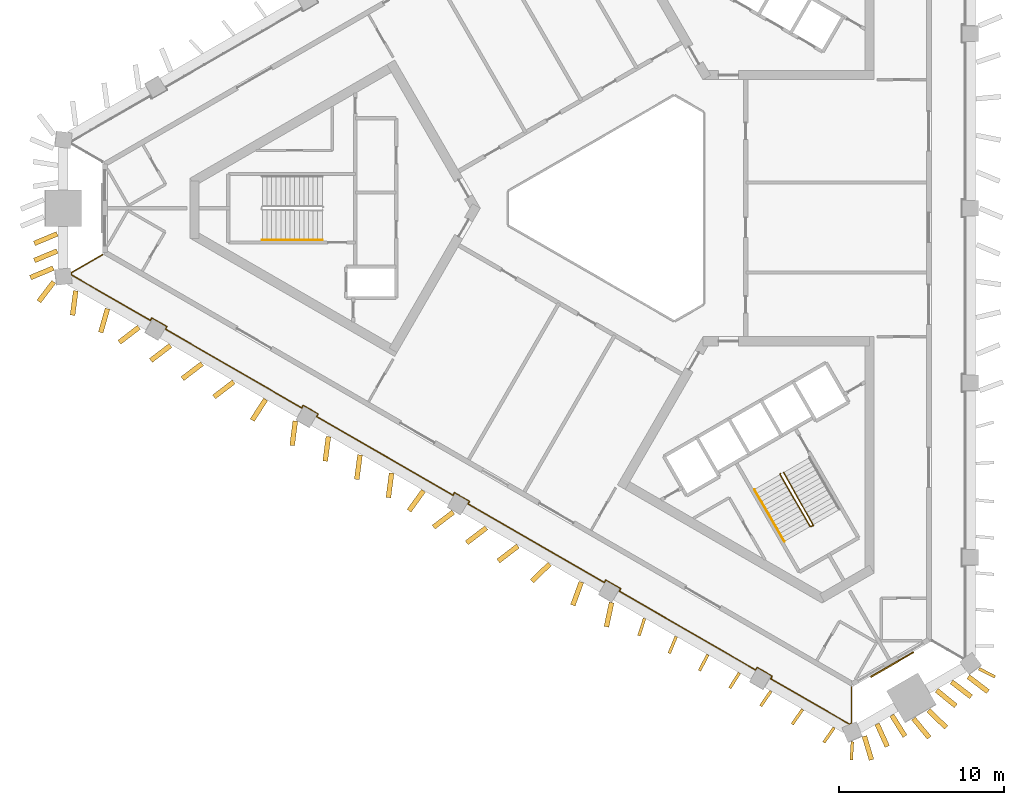
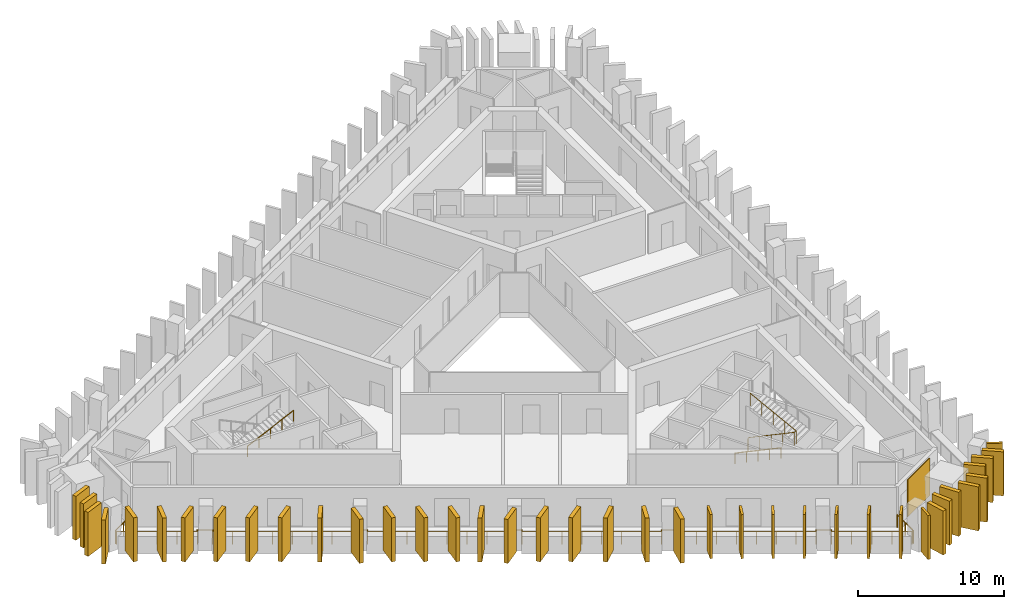
# One storey, part 7 of 9: 39 shading devices, 4 railings, 1 covering.
"""IFC4 building model written with IfcOpenShell, lengths in metres."""

import ifcopenshell
import ifcopenshell.guid

model = None  # the IFC model being written
_history = None  # IfcOwnerHistory: only IFC2X3 demands one
_inside = {}  # id of a spatial element -> (the spatial element, [elements in it])
_under = {}  # id of a project, library or spatial element -> (it, [spatial elements below it])
_declared = {}  # id of a project -> (the project, [libraries it declares])
_typed = {}  # id of a type object -> (the type object, [elements of that type])
_made_of = {}  # id of a material, layer set ... -> (it, [elements and type objects made of it])


def new_model(schema):
    """Start an empty IFC model of exactly this schema.

    Asked for "IFC4X3", IfcOpenShell would pick the latest addendum, in which some entities
    have other attributes; the version numbers below select the first issue.
    IFC2X3 requires an IfcOwnerHistory on every rooted entity: one is made here for all.
    """
    global model, _history
    if schema == "IFC4X3":
        model = ifcopenshell.file(schema_version=(4, 3, 0, 0))
    else:
        model = ifcopenshell.file(schema=schema)
    _inside.clear()
    _under.clear()
    _declared.clear()
    _typed.clear()
    _made_of.clear()
    _history = None
    if model.schema == "IFC2X3":
        org = make("IfcOrganization", Name="unknown")
        user = make(
            "IfcPersonAndOrganization",
            ThePerson=make("IfcPerson", FamilyName="unknown"),
            TheOrganization=org,
        )
        app = make(
            "IfcApplication",
            ApplicationDeveloper=org,
            Version="unknown",
            ApplicationFullName="unknown",
            ApplicationIdentifier="unknown",
        )
        _history = make(
            "IfcOwnerHistory",
            OwningUser=user,
            OwningApplication=app,
            ChangeAction="ADDED",
            CreationDate=0,
        )
    return model


def make(cls, **values):
    """One entity of the class cls with the attributes given. An attribute that is None is left unset."""
    return model.create_entity(
        cls, **{name: value for name, value in values.items() if value is not None}
    )


def rooted(cls, **values):
    """An entity with a GlobalId (a new one), such as an element, a storey or a relation."""
    return make(cls, GlobalId=ifcopenshell.guid.new(), OwnerHistory=_history, **values)


def si_unit(unit_type, name, prefix=None):
    """IfcSIUnit, for example si_unit("LENGTHUNIT", "METRE", prefix="MILLI")."""
    return make("IfcSIUnit", UnitType=unit_type, Prefix=prefix, Name=name)


def assignment(units):
    """IfcUnitAssignment: the units of a project."""
    return None if units is None else make("IfcUnitAssignment", Units=units)


def point(xyz):
    """IfcCartesianPoint."""
    return None if xyz is None else make("IfcCartesianPoint", Coordinates=xyz)


def direction(xyz):
    """IfcDirection."""
    return None if xyz is None else make("IfcDirection", DirectionRatios=xyz)


def frame(location, z_axis=None, x_axis=None):
    """IfcAxis2Placement3D, a coordinate frame: its origin and axes. An axis left out is left unset."""
    return make(
        "IfcAxis2Placement3D",
        Location=point(location),
        Axis=direction(z_axis),
        RefDirection=direction(x_axis),
    )


def frame_2d(location, x_axis=None):
    """IfcAxis2Placement2D, a coordinate frame in the plane: its origin and x axis."""
    return make(
        "IfcAxis2Placement2D", Location=point(location), RefDirection=direction(x_axis)
    )


def origin():
    """The frame at (0, 0, 0) with its axes left unset."""
    return frame((0.0, 0.0, 0.0))


def origin_2d():
    """The frame at (0, 0) in the plane with its x axis left unset."""
    return frame_2d((0.0, 0.0))


def place(relative_to, where):
    """IfcLocalPlacement: puts the frame where relative to a parent placement (None: the world)."""
    return make(
        "IfcLocalPlacement", PlacementRelTo=relative_to, RelativePlacement=where
    )


def context(
    kind, dimensions, precision=None, world=None, true_north=None, identifier=None
):
    """IfcGeometricRepresentationContext, for example the 3D "Model" context."""
    return make(
        "IfcGeometricRepresentationContext",
        ContextIdentifier=identifier,
        ContextType=kind,
        CoordinateSpaceDimension=dimensions,
        Precision=precision,
        WorldCoordinateSystem=world,
        TrueNorth=true_north,
    )


def subcontext(parent, identifier, kind, view, scale=None):
    """IfcGeometricRepresentationSubContext, for example "Body" below "Model"."""
    return make(
        "IfcGeometricRepresentationSubContext",
        ContextIdentifier=identifier,
        ContextType=kind,
        ParentContext=parent,
        TargetScale=scale,
        TargetView=view,
    )


def project(units=None, contexts=None):
    """IfcProject with its units and contexts."""
    return rooted(
        "IfcProject",
        Name="project",
        RepresentationContexts=contexts,
        UnitsInContext=assignment(units),
    )


def spatial(cls, under=None, at=None, **own):
    """A site, building, storey or space (cls), placed at a placement, below another one or the project."""
    s = rooted(cls, ObjectPlacement=at, **own)
    if under is not None:
        _under.setdefault(under.id(), (under, []))[1].append(s)
    return s


def profile(cls, at=None, kind="AREA", **sizes):
    """A parametric profile (cls). Its sizes go by their IFC names, for example OverallWidth=200.0."""
    return make(cls, ProfileType=kind, Position=at, **sizes)


def rectangle(**sizes):
    """IfcRectangleProfileDef."""
    return profile("IfcRectangleProfileDef", **sizes)


def circle(**sizes):
    """IfcCircleProfileDef."""
    return profile("IfcCircleProfileDef", **sizes)


def extrude(swept, where, along, depth):
    """IfcExtrudedAreaSolid: the profile swept, set in the frame where, extruded along a direction by depth."""
    return make(
        "IfcExtrudedAreaSolid",
        SweptArea=swept,
        Position=where,
        ExtrudedDirection=direction(along),
        Depth=depth,
    )


def shape(context_of_items, identifier, shape_type, items):
    """IfcShapeRepresentation: the items that make up one representation, for example the "Body"."""
    return make(
        "IfcShapeRepresentation",
        ContextOfItems=context_of_items,
        RepresentationIdentifier=identifier,
        RepresentationType=shape_type,
        Items=items,
    )


def material(Name=None, Category=None):
    """IfcMaterial."""
    return make("IfcMaterial", Name=Name, Category=Category)


def layer(
    of_material, thickness, ventilated=None, Name=None, Category=None, Priority=None
):
    """IfcMaterialLayer: one layer of a wall or slab, of a material (None: an air gap)."""
    return make(
        "IfcMaterialLayer",
        Material=of_material,
        LayerThickness=thickness,
        IsVentilated=ventilated,
        Name=Name,
        Category=Category,
        Priority=Priority,
    )


def layer_set(layers, Name=None):
    """IfcMaterialLayerSet."""
    return make("IfcMaterialLayerSet", MaterialLayers=layers, LayerSetName=Name)


def made_of(thing, what):
    """Note that an element or type object is made of a material, layer set ...; save() writes the relation."""
    if what is not None:
        _made_of.setdefault(what.id(), (what, []))[1].append(thing)
    return thing


def type_object(cls, material=None, **own):
    """A type object (cls), such as IfcWallType, which elements share."""
    return made_of(rooted(cls, **own), material)


def element(
    cls,
    number,
    at=None,
    inside=None,
    cuts=None,
    type_object=None,
    material=None,
    context=None,
    identifier="Body",
    shape_type=None,
    held_by="IfcProductDefinitionShape",
    body=None,
    shapes=None,
    **own,
):
    """One element of the class cls, such as IfcWall. Its Tag is "e" and its number.

    at: its placement. inside: the storey or other place that contains it. cuts: it is an
    opening in that element (IfcRelVoidsElement). A single representation is given by context,
    identifier, shape_type and body (its items); several are given by shapes. held_by: the class
    of the entity that holds the representations. save() writes the other relations.
    """
    e = rooted(cls, Tag="e%d" % number, ObjectPlacement=at, **own)
    if body is not None:
        shapes = [shape(context, identifier, shape_type, body)]
    if shapes is not None:
        e.Representation = make(held_by, Representations=shapes)
    if inside is not None:
        _inside.setdefault(inside.id(), (inside, []))[1].append(e)
    if cuts is not None:
        rooted(
            "IfcRelVoidsElement", RelatingBuildingElement=cuts, RelatedOpeningElement=e
        )
    if type_object is not None:
        _typed.setdefault(type_object.id(), (type_object, []))[1].append(e)
    return made_of(e, material)


def aggregate(whole, parts):
    """IfcRelAggregates: a whole, such as a stair, and the parts it consists of."""
    return rooted("IfcRelAggregates", RelatingObject=whole, RelatedObjects=parts)


def save(model, path):
    """Write the relations noted so far, then the file.

    IfcRelAggregates (storeys below a building ...), IfcRelContainedInSpatialStructure (elements
    in a storey), IfcRelDefinesByType, IfcRelAssociatesMaterial and IfcRelDeclares: one each for
    every whole, place, type object, material and project.
    """
    for whole, parts in _under.values():
        aggregate(whole, parts)
    for where, things in _inside.values():
        rooted(
            "IfcRelContainedInSpatialStructure",
            RelatedElements=things,
            RelatingStructure=where,
        )
    for kind, things in _typed.values():
        rooted("IfcRelDefinesByType", RelatedObjects=things, RelatingType=kind)
    for what, things in _made_of.values():
        rooted("IfcRelAssociatesMaterial", RelatedObjects=things, RelatingMaterial=what)
    for by, libraries in _declared.values():
        rooted("IfcRelDeclares", RelatingContext=by, RelatedDefinitions=libraries)
    model.write(path)


model = new_model("IFC4")

# Units and contexts
model_context = context("Model", 3, precision=1e-05, world=origin(), true_north=direction((0.0, 1.0)))
body_context = subcontext(model_context, "Body", "Model", "MODEL_VIEW")
ifc_project = project(units=[si_unit("LENGTHUNIT", "METRE"), si_unit("AREAUNIT", "SQUARE_METRE"), si_unit("VOLUMEUNIT", "CUBIC_METRE"), si_unit("PLANEANGLEUNIT", "RADIAN"), si_unit("MASSUNIT", "GRAM", prefix="KILO")], contexts=[model_context])

# Site, building, storey
site_placement = place(None, origin())
site = spatial("IfcSite", under=ifc_project, at=site_placement, CompositionType="ELEMENT")
building_placement = place(site_placement, origin())
building = spatial("IfcBuilding", under=site, at=building_placement, Name="Jabali Bay Hotel Tower and Convention Centre", CompositionType="ELEMENT")
storey_placement = place(building_placement, frame((0.0, 0.0, 193.300048828125)))
storey = spatial("IfcBuildingStorey", under=building, at=storey_placement, Name="L47", CompositionType="ELEMENT", Elevation=193.300048828125)

# Railing
ifc_material_1 = material(Name="Glass", Category="glass")
railing_type_1 = type_object("IfcRailingType", Name="Loggia glass guard 1100", PredefinedType="BALUSTRADE", material=ifc_material_1)
railing_1_placement = place(storey_placement, frame((88.51513671875, 50.94677734375, 0.0)))
element("IfcRailing", 1, at=railing_1_placement, inside=storey, type_object=railing_type_1, Name="Loggia glass guard L47", PredefinedType="BALUSTRADE", context=body_context, shape_type="SweptSolid", body=[
    extrude(circle(Radius=0.02490234375, at=origin_2d()), frame((0.0, 0.0, 1.0751953125), z_axis=(0.0, -1.0, 0.0), x_axis=(0.991444861374, 0.0, 0.13052619222)), (0.0, 0.0, 1.0), 2.19287109375),
    extrude(circle(Radius=0.02490234375, at=origin_2d()), frame((0.0, -2.19287109375, 1.0751953125), z_axis=(-0.9195450827, -0.39298453008, 0.0), x_axis=(0.389622492947, -0.911678247044, 0.13052619222)), (0.0, 0.0, 1.0), 0.126220703125),
    extrude(circle(Radius=0.02490234375, at=origin_2d()), frame((-0.115966796875, -2.242431640625, 1.0751953125), z_axis=(-0.866020156448, 0.500009088543, 0.0), x_axis=(-0.495731441476, -0.858611233957, 0.13052619222)), (0.0, 0.0, 1.0), 5.52978515625),
    extrude(circle(Radius=0.02490234375, at=origin_2d()), frame((-4.90478515625, 0.5224609375, 1.0751953125), z_axis=(0.499440622861, 0.866348119543, 0.0), x_axis=(-0.858936391282, 0.495167839097, 0.13052619222)), (0.0, 0.0, 1.0), 0.175048828125),
    extrude(circle(Radius=0.02490234375, at=origin_2d()), frame((-4.8173828125, 0.674072265625, 1.0751953125), z_axis=(-0.865988129768, 0.500064554934, 0.0), x_axis=(-0.495786433345, -0.858579481269, 0.13052619222)), (0.0, 0.0, 1.0), 1.050048828125),
    extrude(circle(Radius=0.02490234375, at=origin_2d()), frame((-5.726806640625, 1.19921875, 1.0751953125), z_axis=(-0.499440622861, -0.866348119543, 0.0), x_axis=(0.858936391282, -0.495167839097, 0.13052619222)), (0.0, 0.0, 1.0), 0.175048828125),
    extrude(circle(Radius=0.02490234375, at=origin_2d()), frame((-5.814208984375, 1.047607421875, 1.0751953125), z_axis=(-0.866030175195, 0.499991735583, 0.0), x_axis=(-0.495714236973, -0.858621166992, 0.13052619222)), (0.0, 0.0, 1.0), 9.548583984375),
    extrude(circle(Radius=0.02490234375, at=origin_2d()), frame((-14.08349609375, 5.82177734375, 1.0751953125), z_axis=(0.500486622847, 0.865744269604, 0.0), x_axis=(-0.858337707362, 0.496204890408, 0.13052619222)), (0.0, 0.0, 1.0), 0.175048828125),
    extrude(circle(Radius=0.02490234375, at=origin_2d()), frame((-13.995849609375, 5.973388671875, 1.0751953125), z_axis=(-0.866088799389, 0.499890179513, 0.0), x_axis=(-0.495613549729, -0.858679289647, 0.13052619222)), (0.0, 0.0, 1.0), 1.050048828125),
    extrude(circle(Radius=0.02490234375, at=origin_2d()), frame((-14.9052734375, 6.498291015625, 1.0751953125), z_axis=(-0.500044870432, -0.865999496279, 0.0), x_axis=(0.858590750538, -0.495766917246, 0.13052619222)), (0.0, 0.0, 1.0), 0.1748046875),
    extrude(circle(Radius=0.02490234375, at=origin_2d()), frame((-14.99267578125, 6.346923828125, 1.0751953125), z_axis=(-0.866030175195, 0.499991735583, 0.0), x_axis=(-0.495714236973, -0.858621166992, 0.13052619222)), (0.0, 0.0, 1.0), 9.548583984375),
    extrude(circle(Radius=0.02490234375, at=origin_2d()), frame((-23.261962890625, 11.12109375, 1.0751953125), z_axis=(0.499440622861, 0.866348119543, 0.0), x_axis=(-0.858936391282, 0.495167839097, 0.13052619222)), (0.0, 0.0, 1.0), 0.175048828125),
    extrude(circle(Radius=0.02490234375, at=origin_2d()), frame((-23.174560546875, 11.272705078125, 1.0751953125), z_axis=(-0.866088799389, 0.499890179513, 0.0), x_axis=(-0.495613549729, -0.858679289647, 0.13052619222)), (0.0, 0.0, 1.0), 1.050048828125),
    extrude(circle(Radius=0.02490234375, at=origin_2d()), frame((-24.083984375, 11.797607421875, 1.0751953125), z_axis=(-0.499440622861, -0.866348119543, 0.0), x_axis=(0.858936391282, -0.495167839097, 0.13052619222)), (0.0, 0.0, 1.0), 0.175048828125),
    extrude(circle(Radius=0.02490234375, at=origin_2d()), frame((-24.17138671875, 11.64599609375, 1.0751953125), z_axis=(-0.866019103767, 0.500010911791, 0.0), x_axis=(-0.495733249126, -0.858610190282, 0.13052619222)), (0.0, 0.0, 1.0), 9.548583984375),
    extrude(circle(Radius=0.02490234375, at=origin_2d()), frame((-32.440673828125, 16.42041015625, 1.0751953125), z_axis=(0.501091290591, 0.865394429433, 0.0), x_axis=(-0.857990860123, 0.496804385136, 0.13052619222)), (0.0, 0.0, 1.0), 0.1748046875),
    extrude(circle(Radius=0.02490234375, at=origin_2d()), frame((-32.35302734375, 16.57177734375, 1.0751953125), z_axis=(-0.865988129768, 0.500064554934, 0.0), x_axis=(-0.495786433345, -0.858579481269, 0.13052619222)), (0.0, 0.0, 1.0), 1.050048828125),
    extrude(circle(Radius=0.02490234375, at=origin_2d()), frame((-33.262451171875, 17.096923828125, 1.0751953125), z_axis=(-0.499440622861, -0.866348119543, 0.0), x_axis=(0.858936391282, -0.495167839097, 0.13052619222)), (0.0, 0.0, 1.0), 0.175048828125),
    extrude(circle(Radius=0.02490234375, at=origin_2d()), frame((-33.349853515625, 16.9453125, 1.0751953125), z_axis=(-0.866030175195, 0.499991735583, 0.0), x_axis=(-0.495714236973, -0.858621166992, 0.13052619222)), (0.0, 0.0, 1.0), 9.548583984375),
    extrude(circle(Radius=0.02490234375, at=origin_2d()), frame((-41.619140625, 21.719482421875, 1.0751953125), z_axis=(0.499440622861, 0.866348119543, 0.0), x_axis=(-0.858936391282, 0.495167839097, 0.13052619222)), (0.0, 0.0, 1.0), 0.175048828125),
    extrude(circle(Radius=0.02490234375, at=origin_2d()), frame((-41.53173828125, 21.87109375, 1.0751953125), z_axis=(-0.86592997719, 0.500165247297, 0.0), x_axis=(-0.495886264271, -0.858521826194, 0.13052619222)), (0.0, 0.0, 1.0), 1.050048828125),
    extrude(circle(Radius=0.02490234375, at=origin_2d()), frame((-42.44091796875, 22.396240234375, 1.0751953125), z_axis=(-0.500486622847, -0.865744269604, 0.0), x_axis=(0.858337707362, -0.496204890408, 0.13052619222)), (0.0, 0.0, 1.0), 0.175048828125),
    extrude(circle(Radius=0.02490234375, at=origin_2d()), frame((-42.528564453125, 22.24462890625, 1.0751953125), z_axis=(-0.866020156448, 0.500009088543, 0.0), x_axis=(-0.495731441476, -0.858611233957, 0.13052619222)), (0.0, 0.0, 1.0), 5.52978515625),
    extrude(circle(Radius=0.02490234375, at=origin_2d()), frame((-47.3173828125, 25.009521484375, 1.0751953125), z_axis=(-0.119984594018, 0.992775753732, 0.0), x_axis=(-0.984282419534, -0.118958109183, 0.13052619222)), (0.0, 0.0, 1.0), 0.126220703125),
    extrude(circle(Radius=0.02490234375, at=origin_2d()), frame((-47.33251953125, 25.134765625, 1.0751953125), z_axis=(0.866035418383, 0.499982653806, 0.0), x_axis=(-0.495705232892, 0.858626365323, 0.13052619222)), (0.0, 0.0, 1.0), 2.19287109375),
    extrude(circle(Radius=0.02001953125, at=origin_2d()), origin(), (0.0, 0.0, 1.0), 1.050048828125),
    extrude(circle(Radius=0.02001953125, at=origin_2d()), frame((0.0, -1.096435546875, 0.0)), (0.0, 0.0, 1.0), 1.050048828125),
    extrude(circle(Radius=0.02001953125, at=origin_2d()), frame((0.0, -2.19287109375, 0.0)), (0.0, 0.0, 1.0), 1.050048828125),
    extrude(circle(Radius=0.02001953125, at=origin_2d()), frame((-0.115966796875, -2.242431640625, 0.0)), (0.0, 0.0, 1.0), 1.050048828125),
    extrude(circle(Radius=0.02001953125, at=origin_2d()), frame((-1.313232421875, -1.55126953125, 0.0)), (0.0, 0.0, 1.0), 1.050048828125),
    extrude(circle(Radius=0.02001953125, at=origin_2d()), frame((-2.51025390625, -0.85986328125, 0.0)), (0.0, 0.0, 1.0), 1.050048828125),
    extrude(circle(Radius=0.02001953125, at=origin_2d()), frame((-3.70751953125, -0.168701171875, 0.0)), (0.0, 0.0, 1.0), 1.050048828125),
    extrude(circle(Radius=0.02001953125, at=origin_2d()), frame((-4.90478515625, 0.5224609375, 0.0)), (0.0, 0.0, 1.0), 1.050048828125),
    extrude(circle(Radius=0.02001953125, at=origin_2d()), frame((-4.8173828125, 0.674072265625, 0.0)), (0.0, 0.0, 1.0), 1.050048828125),
    extrude(circle(Radius=0.02001953125, at=origin_2d()), frame((-5.726806640625, 1.19921875, 0.0)), (0.0, 0.0, 1.0), 1.050048828125),
    extrude(circle(Radius=0.02001953125, at=origin_2d()), frame((-5.814208984375, 1.047607421875, 0.0)), (0.0, 0.0, 1.0), 1.050048828125),
    extrude(circle(Radius=0.02001953125, at=origin_2d()), frame((-6.99560546875, 1.729736328125, 0.0)), (0.0, 0.0, 1.0), 1.050048828125),
    extrude(circle(Radius=0.02001953125, at=origin_2d()), frame((-8.1767578125, 2.41162109375, 0.0)), (0.0, 0.0, 1.0), 1.050048828125),
    extrude(circle(Radius=0.02001953125, at=origin_2d()), frame((-9.358154296875, 3.09375, 0.0)), (0.0, 0.0, 1.0), 1.050048828125),
    extrude(circle(Radius=0.02001953125, at=origin_2d()), frame((-10.53955078125, 3.775634765625, 0.0)), (0.0, 0.0, 1.0), 1.050048828125),
    extrude(circle(Radius=0.02001953125, at=origin_2d()), frame((-11.720947265625, 4.457763671875, 0.0)), (0.0, 0.0, 1.0), 1.050048828125),
    extrude(circle(Radius=0.02001953125, at=origin_2d()), frame((-12.902099609375, 5.1396484375, 0.0)), (0.0, 0.0, 1.0), 1.050048828125),
    extrude(circle(Radius=0.02001953125, at=origin_2d()), frame((-14.08349609375, 5.82177734375, 0.0)), (0.0, 0.0, 1.0), 1.050048828125),
    extrude(circle(Radius=0.02001953125, at=origin_2d()), frame((-13.995849609375, 5.973388671875, 0.0)), (0.0, 0.0, 1.0), 1.050048828125),
    extrude(circle(Radius=0.02001953125, at=origin_2d()), frame((-14.9052734375, 6.498291015625, 0.0)), (0.0, 0.0, 1.0), 1.050048828125),
    extrude(circle(Radius=0.02001953125, at=origin_2d()), frame((-14.99267578125, 6.346923828125, 0.0)), (0.0, 0.0, 1.0), 1.050048828125),
    extrude(circle(Radius=0.02001953125, at=origin_2d()), frame((-16.174072265625, 7.029052734375, 0.0)), (0.0, 0.0, 1.0), 1.050048828125),
    extrude(circle(Radius=0.02001953125, at=origin_2d()), frame((-17.355224609375, 7.7109375, 0.0)), (0.0, 0.0, 1.0), 1.050048828125),
    extrude(circle(Radius=0.02001953125, at=origin_2d()), frame((-18.53662109375, 8.39306640625, 0.0)), (0.0, 0.0, 1.0), 1.050048828125),
    extrude(circle(Radius=0.02001953125, at=origin_2d()), frame((-19.718017578125, 9.074951171875, 0.0)), (0.0, 0.0, 1.0), 1.050048828125),
    extrude(circle(Radius=0.02001953125, at=origin_2d()), frame((-20.8994140625, 9.757080078125, 0.0)), (0.0, 0.0, 1.0), 1.050048828125),
    extrude(circle(Radius=0.02001953125, at=origin_2d()), frame((-22.08056640625, 10.43896484375, 0.0)), (0.0, 0.0, 1.0), 1.050048828125),
    extrude(circle(Radius=0.02001953125, at=origin_2d()), frame((-23.261962890625, 11.12109375, 0.0)), (0.0, 0.0, 1.0), 1.050048828125),
    extrude(circle(Radius=0.02001953125, at=origin_2d()), frame((-23.174560546875, 11.272705078125, 0.0)), (0.0, 0.0, 1.0), 1.050048828125),
    extrude(circle(Radius=0.02001953125, at=origin_2d()), frame((-24.083984375, 11.797607421875, 0.0)), (0.0, 0.0, 1.0), 1.050048828125),
    extrude(circle(Radius=0.02001953125, at=origin_2d()), frame((-24.17138671875, 11.64599609375, 0.0)), (0.0, 0.0, 1.0), 1.050048828125),
    extrude(circle(Radius=0.02001953125, at=origin_2d()), frame((-25.352783203125, 12.328125, 0.0)), (0.0, 0.0, 1.0), 1.050048828125),
    extrude(circle(Radius=0.02001953125, at=origin_2d()), frame((-26.533935546875, 13.010009765625, 0.0)), (0.0, 0.0, 1.0), 1.050048828125),
    extrude(circle(Radius=0.02001953125, at=origin_2d()), frame((-27.71533203125, 13.692138671875, 0.0)), (0.0, 0.0, 1.0), 1.050048828125),
    extrude(circle(Radius=0.02001953125, at=origin_2d()), frame((-28.896728515625, 14.374267578125, 0.0)), (0.0, 0.0, 1.0), 1.050048828125),
    extrude(circle(Radius=0.02001953125, at=origin_2d()), frame((-30.078125, 15.056396484375, 0.0)), (0.0, 0.0, 1.0), 1.050048828125),
    extrude(circle(Radius=0.02001953125, at=origin_2d()), frame((-31.25927734375, 15.73828125, 0.0)), (0.0, 0.0, 1.0), 1.050048828125),
    extrude(circle(Radius=0.02001953125, at=origin_2d()), frame((-32.440673828125, 16.42041015625, 0.0)), (0.0, 0.0, 1.0), 1.050048828125),
    extrude(circle(Radius=0.02001953125, at=origin_2d()), frame((-32.35302734375, 16.57177734375, 0.0)), (0.0, 0.0, 1.0), 1.050048828125),
    extrude(circle(Radius=0.02001953125, at=origin_2d()), frame((-33.262451171875, 17.096923828125, 0.0)), (0.0, 0.0, 1.0), 1.050048828125),
    extrude(circle(Radius=0.02001953125, at=origin_2d()), frame((-33.349853515625, 16.9453125, 0.0)), (0.0, 0.0, 1.0), 1.050048828125),
    extrude(circle(Radius=0.02001953125, at=origin_2d()), frame((-34.53125, 17.62744140625, 0.0)), (0.0, 0.0, 1.0), 1.050048828125),
    extrude(circle(Radius=0.02001953125, at=origin_2d()), frame((-35.71240234375, 18.309326171875, 0.0)), (0.0, 0.0, 1.0), 1.050048828125),
    extrude(circle(Radius=0.02001953125, at=origin_2d()), frame((-36.893798828125, 18.991455078125, 0.0)), (0.0, 0.0, 1.0), 1.050048828125),
    extrude(circle(Radius=0.02001953125, at=origin_2d()), frame((-38.0751953125, 19.67333984375, 0.0)), (0.0, 0.0, 1.0), 1.050048828125),
    extrude(circle(Radius=0.02001953125, at=origin_2d()), frame((-39.256591796875, 20.35546875, 0.0)), (0.0, 0.0, 1.0), 1.050048828125),
    extrude(circle(Radius=0.02001953125, at=origin_2d()), frame((-40.437744140625, 21.037353515625, 0.0)), (0.0, 0.0, 1.0), 1.050048828125),
    extrude(circle(Radius=0.02001953125, at=origin_2d()), frame((-41.619140625, 21.719482421875, 0.0)), (0.0, 0.0, 1.0), 1.050048828125),
    extrude(circle(Radius=0.02001953125, at=origin_2d()), frame((-41.53173828125, 21.87109375, 0.0)), (0.0, 0.0, 1.0), 1.050048828125),
    extrude(circle(Radius=0.02001953125, at=origin_2d()), frame((-42.44091796875, 22.396240234375, 0.0)), (0.0, 0.0, 1.0), 1.050048828125),
    extrude(circle(Radius=0.02001953125, at=origin_2d()), frame((-42.528564453125, 22.24462890625, 0.0)), (0.0, 0.0, 1.0), 1.050048828125),
    extrude(circle(Radius=0.02001953125, at=origin_2d()), frame((-43.725830078125, 22.935791015625, 0.0)), (0.0, 0.0, 1.0), 1.050048828125),
    extrude(circle(Radius=0.02001953125, at=origin_2d()), frame((-44.9228515625, 23.626953125, 0.0)), (0.0, 0.0, 1.0), 1.050048828125),
    extrude(circle(Radius=0.02001953125, at=origin_2d()), frame((-46.1201171875, 24.318359375, 0.0)), (0.0, 0.0, 1.0), 1.050048828125),
    extrude(circle(Radius=0.02001953125, at=origin_2d()), frame((-47.3173828125, 25.009521484375, 0.0)), (0.0, 0.0, 1.0), 1.050048828125),
    extrude(circle(Radius=0.02001953125, at=origin_2d()), frame((-47.33251953125, 25.134765625, 0.0)), (0.0, 0.0, 1.0), 1.050048828125),
    extrude(circle(Radius=0.02001953125, at=origin_2d()), frame((-46.3828125, 25.68310546875, 0.0)), (0.0, 0.0, 1.0), 1.050048828125),
    extrude(circle(Radius=0.02001953125, at=origin_2d()), frame((-45.433349609375, 26.231201171875, 0.0)), (0.0, 0.0, 1.0), 1.050048828125),
])

# Shading devices
ifc_material_2 = material(Name="Precast concrete C60", Category="concrete")
ifc_layer_1 = layer(ifc_material_2, 0.179931640625)
ifc_layer_set_1 = layer_set([ifc_layer_1], Name="Precast concrete C60")
shading_device_type_1 = type_object("IfcShadingDeviceType", Name="Precast fin 3680 x 1100", PredefinedType="USERDEFINED", material=ifc_layer_set_1)
for number, where, z_axis, x_axis, name in (
    (2, (75.959716796875, 55.12255859375, 0.010009765625), (0.0, 0.0, 1.0), (-0.306354087776, -0.951917629264, 0.0), "Fin L47 084"),
    (3, (77.878662109375, 54.02294921875, 0.010009765625), (0.0, 0.0, 1.0), (-0.382234156236, -0.92406550082, 0.0), "Fin L47 085"),
):
    element("IfcShadingDevice", number, at=place(storey_placement, frame(where, z_axis=z_axis, x_axis=x_axis)), inside=storey, type_object=shading_device_type_1, Name=name, ObjectType="FIN", PredefinedType="USERDEFINED", context=body_context, shape_type="SweptSolid", body=[
        extrude(rectangle(XDim=1.099853515625, YDim=0.179931640625, at=frame_2d((0.5498046875, 0.0))), origin(), (0.0, 0.0, 1.0), 3.679931640625),
    ])
shading_device_1_placement = place(storey_placement, frame((79.7978515625, 52.924072265625, 0.010009765625), z_axis=(0.0, 0.0, 1.0), x_axis=(-0.460919470367, -0.887441965334, 0.0)))
element("IfcShadingDevice", 4, at=shading_device_1_placement, inside=storey, type_object=shading_device_type_1, Name="Fin L47 086", ObjectType="FIN", PredefinedType="USERDEFINED", context=body_context, shape_type="SweptSolid", body=[
    extrude(rectangle(XDim=1.10009765625, YDim=0.179931640625, at=frame_2d((0.550048828125, 0.0))), origin(), (0.0, 0.0, 1.0), 3.679931640625),
])
shading_device_2_placement = place(storey_placement, frame((81.71337890625, 51.818359375, 0.010009765625), z_axis=(0.0, 0.0, 1.0), x_axis=(-0.534719352706, -0.84502971181, 0.0)))
element("IfcShadingDevice", 5, at=shading_device_2_placement, inside=storey, type_object=shading_device_type_1, Name="Fin L47 087", ObjectType="FIN", PredefinedType="USERDEFINED", context=body_context, shape_type="SweptSolid", body=[
    extrude(rectangle(XDim=1.099853515625, YDim=0.179931640625, at=frame_2d((0.5498046875, 0.0))), origin(), (0.0, 0.0, 1.0), 3.679931640625),
])
for number, where, z_axis, x_axis, name in (
    (6, (83.626953125, 50.70947265625, 0.010009765625), (0.0, 0.0, 1.0), (-0.568805997964, -0.822471723939, 0.0), "Fin L47 088"),
    (7, (85.54248046875, 49.603759765625, 0.010009765625), (0.0, 0.0, 1.0), (-0.567893707452, -0.823101899546, 0.0), "Fin L47 089"),
    (8, (87.457763671875, 48.498046875, 0.010009765625), (0.0, 0.0, 1.0), (-0.56723500071, -0.823555981078, 0.0), "Fin L47 090"),
    (9, (96.2373046875, 52.074951171875, 0.010009765625), (0.0, 0.0, 1.0), (0.89017071636, -0.455627145521, 0.0), "Fin L47 099"),
    (10, (88.565185546875, 47.644775390625, 0.010009765625), (0.0, 0.0, 1.0), (-0.059697696545, -0.998216502081, 0.0), "Fin L47 104"),
):
    element("IfcShadingDevice", number, at=place(storey_placement, frame(where, z_axis=z_axis, x_axis=x_axis)), inside=storey, type_object=shading_device_type_1, Name=name, ObjectType="FIN", PredefinedType="USERDEFINED", context=body_context, shape_type="SweptSolid", body=[
        extrude(rectangle(XDim=1.10009765625, YDim=0.179931640625, at=frame_2d((0.550048828125, 0.0))), origin(), (0.0, 0.0, 1.0), 3.679931640625),
    ])
ifc_layer_2 = layer(ifc_material_2, 0.300048828125)
ifc_layer_set_2 = layer_set([ifc_layer_2], Name="Precast concrete C60")
shading_device_type_2 = type_object("IfcShadingDeviceType", Name="Precast fin 3680 x 1500", PredefinedType="USERDEFINED", material=ifc_layer_set_2)
shading_device_3_placement = place(storey_placement, frame((40.337158203125, 78.44384765625, 0.010009765625), z_axis=(0.0, 0.0, 1.0), x_axis=(-0.923072107306, -0.384626942261, 0.0)))
element("IfcShadingDevice", 11, at=shading_device_3_placement, inside=storey, type_object=shading_device_type_2, Name="Fin L47 063", ObjectType="FIN", PredefinedType="USERDEFINED", context=body_context, shape_type="SweptSolid", body=[
    extrude(rectangle(XDim=1.5, YDim=0.300048828125, at=frame_2d((0.75, 0.0))), origin(), (0.0, 0.0, 1.0), 3.679931640625),
])
shading_device_4_placement = place(storey_placement, frame((40.337158203125, 77.40625, 0.010009765625), z_axis=(0.0, 0.0, 1.0), x_axis=(-0.923129890319, -0.384488238571, 0.0)))
element("IfcShadingDevice", 12, at=shading_device_4_placement, inside=storey, type_object=shading_device_type_2, Name="Fin L47 064", ObjectType="FIN", PredefinedType="USERDEFINED", context=body_context, shape_type="SweptSolid", body=[
    extrude(rectangle(XDim=1.499755859375, YDim=0.300048828125, at=frame_2d((0.75, 0.0))), origin(), (0.0, 0.0, 1.0), 3.679931640625),
])
shading_device_5_placement = place(storey_placement, frame((40.099853515625, 76.368896484375, 0.010009765625), z_axis=(0.0, 0.0, 1.0), x_axis=(-0.923096181819, -0.384569160374, 0.0)))
element("IfcShadingDevice", 13, at=shading_device_5_placement, inside=storey, type_object=shading_device_type_2, Name="Fin L47 065", ObjectType="FIN", PredefinedType="USERDEFINED", context=body_context, shape_type="SweptSolid", body=[
    extrude(rectangle(XDim=1.500244140625, YDim=0.300048828125, at=frame_2d((0.75, 0.0))), origin(), (0.0, 0.0, 1.0), 3.679931640625),
])
for number, where, z_axis, x_axis, name in (
    (14, (41.46435546875, 74.993896484375, 0.010009765625), (0.0, 0.0, 1.0), (-0.128580707026, -0.991699047988, 0.0), "Fin L47 066"),
    (15, (43.39013671875, 73.906494140625, 0.010009765625), (0.0, 0.0, 1.0), (-0.273775100244, -0.961793738016, 0.0), "Fin L47 067"),
    (16, (45.295166015625, 72.78271484375, 0.010009765625), (0.0, 0.0, 1.0), (-0.792218393011, -0.610237673186, 0.0), "Fin L47 068"),
    (17, (47.210205078125, 71.676513671875, 0.010009765625), (0.0, 0.0, 1.0), (-0.794477939917, -0.607293012462, 0.0), "Fin L47 069"),
    (18, (49.125732421875, 70.570556640625, 0.010009765625), (0.0, 0.0, 1.0), (-0.794616478363, -0.607111729679, 0.0), "Fin L47 070"),
    (19, (51.041015625, 69.46484375, 0.010009765625), (0.0, 0.0, 1.0), (-0.794537958448, -0.607214486475, 0.0), "Fin L47 071"),
):
    element("IfcShadingDevice", number, at=place(storey_placement, frame(where, z_axis=z_axis, x_axis=x_axis)), inside=storey, type_object=shading_device_type_2, Name=name, ObjectType="FIN", PredefinedType="USERDEFINED", context=body_context, shape_type="SweptSolid", body=[
        extrude(rectangle(XDim=1.5, YDim=0.300048828125, at=frame_2d((0.75, 0.0))), origin(), (0.0, 0.0, 1.0), 3.679931640625),
    ])
shading_device_6_placement = place(storey_placement, frame((52.981201171875, 68.402099609375, 0.010009765625), z_axis=(0.0, 0.0, 1.0), x_axis=(-0.544479044943, -0.83877444502, 0.0)))
element("IfcShadingDevice", 20, at=shading_device_6_placement, inside=storey, type_object=shading_device_type_2, Name="Fin L47 072", ObjectType="FIN", PredefinedType="USERDEFINED", context=body_context, shape_type="SweptSolid", body=[
    extrude(rectangle(XDim=1.499755859375, YDim=0.300048828125, at=frame_2d((0.75, 0.0))), origin(), (0.0, 0.0, 1.0), 3.679931640625),
])
for number, where, z_axis, x_axis, name in (
    (21, (54.780517578125, 67.09521484375, 0.010009765625), (0.0, 0.0, 1.0), (-0.128580707026, -0.991699047988, 0.0), "Fin L47 073"),
    (22, (56.787109375, 66.1474609375, 0.010009765625), (0.0, 0.0, 1.0), (-0.128580707026, -0.991699047988, 0.0), "Fin L47 074"),
    (23, (58.702392578125, 65.04150390625, 0.010009765625), (0.0, 0.0, 1.0), (-0.128580707026, -0.991699047988, 0.0), "Fin L47 075"),
    (24, (60.61767578125, 63.935791015625, 0.010009765625), (0.0, 0.0, 1.0), (-0.128580707026, -0.991699047988, 0.0), "Fin L47 076"),
    (25, (62.554443359375, 62.86669921875, 0.010009765625), (0.0, 0.0, 1.0), (-0.584497663284, -0.811395391665, 0.0), "Fin L47 077"),
    (26, (64.357177734375, 61.566162109375, 0.010009765625), (0.0, 0.0, 1.0), (-0.794399407862, -0.607395736558, 0.0), "Fin L47 078"),
    (27, (66.36376953125, 60.618408203125, 0.010009765625), (0.0, 0.0, 1.0), (-0.794260807491, -0.607576966058, 0.0), "Fin L47 079"),
    (28, (68.279052734375, 59.5126953125, 0.010009765625), (0.0, 0.0, 1.0), (-0.793627318274, -0.608404207488, 0.0), "Fin L47 080"),
    (29, (70.202880859375, 58.421142578125, 0.010009765625), (0.0, 0.0, 1.0), (-0.716644575173, -0.697438565664, 0.0), "Fin L47 081"),
    (30, (72.125732421875, 57.328369140625, 0.010009765625), (0.0, 0.0, 1.0), (-0.344068133454, -0.938944683962, 0.0), "Fin L47 082"),
):
    element("IfcShadingDevice", number, at=place(storey_placement, frame(where, z_axis=z_axis, x_axis=x_axis)), inside=storey, type_object=shading_device_type_2, Name=name, ObjectType="FIN", PredefinedType="USERDEFINED", context=body_context, shape_type="SweptSolid", body=[
        extrude(rectangle(XDim=1.5, YDim=0.300048828125, at=frame_2d((0.75, 0.0))), origin(), (0.0, 0.0, 1.0), 3.679931640625),
    ])
shading_device_7_placement = place(storey_placement, frame((73.960205078125, 56.082763671875, 0.010009765625), z_axis=(0.0, 0.0, 1.0), x_axis=(-0.208150709281, -0.978096765267, 0.0)))
element("IfcShadingDevice", 31, at=shading_device_7_placement, inside=storey, type_object=shading_device_type_2, Name="Fin L47 083", ObjectType="FIN", PredefinedType="USERDEFINED", context=body_context, shape_type="SweptSolid", body=[
    extrude(rectangle(XDim=1.500244140625, YDim=0.300048828125, at=frame_2d((0.75, 0.0))), origin(), (0.0, 0.0, 1.0), 3.679931640625),
])
shading_device_8_placement = place(storey_placement, frame((89.29345703125, 47.980712890625, 0.010009765625), z_axis=(0.0, 0.0, 1.0), x_axis=(0.285794633281, -0.958290888816, 0.0)))
element("IfcShadingDevice", 32, at=shading_device_8_placement, inside=storey, type_object=shading_device_type_2, Name="Fin L47 091", ObjectType="FIN", PredefinedType="USERDEFINED", context=body_context, shape_type="SweptSolid", body=[
    extrude(rectangle(XDim=1.5, YDim=0.300048828125, at=frame_2d((0.75, 0.0))), origin(), (0.0, 0.0, 1.0), 3.679931640625),
])
shading_device_9_placement = place(storey_placement, frame((90.063720703125, 48.72119140625, 0.010009765625), z_axis=(0.0, 0.0, 1.0), x_axis=(0.411176711469, -0.911555654881, 0.0)))
element("IfcShadingDevice", 33, at=shading_device_9_placement, inside=storey, type_object=shading_device_type_2, Name="Fin L47 092", ObjectType="FIN", PredefinedType="USERDEFINED", context=body_context, shape_type="SweptSolid", body=[
    extrude(rectangle(XDim=1.499755859375, YDim=0.300048828125, at=frame_2d((0.75, 0.0))), origin(), (0.0, 0.0, 1.0), 3.679931640625),
])
for number, where, z_axis, x_axis, name in (
    (34, (90.95751953125, 49.248291015625, 0.010009765625), (0.0, 0.0, 1.0), (0.531081126705, -0.847320976288, 0.0), "Fin L47 093"),
    (35, (92.271728515625, 49.046875, 0.010009765625), (0.0, 0.0, 1.0), (0.634902534873, -0.772592241232, 0.0), "Fin L47 094"),
    (36, (93.178466796875, 49.551513671875, 0.010009765625), (0.0, 0.0, 1.0), (0.716323452183, -0.697768379802, 0.0), "Fin L47 095"),
    (37, (93.6767578125, 50.763427734375, 0.010009765625), (0.0, 0.0, 1.0), (0.773543817501, -0.633742820398, 0.0), "Fin L47 096"),
    (38, (94.57763671875, 51.278076171875, 0.010009765625), (0.0, 0.0, 1.0), (0.794537958448, -0.607214486475, 0.0), "Fin L47 097"),
    (39, (95.5947265625, 51.59130859375, 0.010009765625), (0.0, 0.0, 1.0), (0.794537958448, -0.607214486475, 0.0), "Fin L47 098"),
    (40, (40.133544921875, 75.53369140625, 0.010009765625), (0.0, 0.0, 1.0), (-0.607111729679, -0.794616478363, 0.0), "Fin L47 103"),
):
    element("IfcShadingDevice", number, at=place(storey_placement, frame(where, z_axis=z_axis, x_axis=x_axis)), inside=storey, type_object=shading_device_type_2, Name=name, ObjectType="FIN", PredefinedType="USERDEFINED", context=body_context, shape_type="SweptSolid", body=[
        extrude(rectangle(XDim=1.5, YDim=0.300048828125, at=frame_2d((0.75, 0.0))), origin(), (0.0, 0.0, 1.0), 3.679931640625),
    ])

# Covering
ifc_material_3 = material(Name="Precast concrete C40/50", Category="concrete")
ifc_layer_3 = layer(ifc_material_3, 0.080078125)
ifc_layer_set_3 = layer_set([ifc_layer_3], Name="Precast concrete C40/50")
covering_type = type_object("IfcCoveringType", Name="Relief panel 3000 x 3100", PredefinedType="CLADDING", material=ifc_layer_set_3)
covering_placement = place(storey_placement, frame((90.979248046875, 52.3232421875, 0.099853515625), z_axis=(0.0, 0.0, 1.0), x_axis=(-0.866025424371, -0.499999964344, 0.0)))
element("IfcCovering", 41, at=covering_placement, inside=storey, type_object=covering_type, Name="Relief panel L47", PredefinedType="CLADDING", context=body_context, shape_type="SweptSolid", body=[
    extrude(rectangle(XDim=3.0, YDim=0.080078125, at=origin_2d()), origin(), (0.0, 0.0, 1.0), 3.10009765625),
])

# Railings
ifc_material_4 = material(Name="Steel Q355B", Category="steel")
railing_type_2 = type_object("IfcRailingType", Name="Stair guard 1100", PredefinedType="GUARDRAIL", material=ifc_material_4)
railing_2_placement = place(storey_placement, frame((84.199951171875, 63.9150390625, 0.0)))
element("IfcRailing", 42, at=railing_2_placement, inside=storey, type_object=railing_type_2, Name="L47 ST3 stair guard 1", PredefinedType="GUARDRAIL", context=body_context, shape_type="SweptSolid", body=[
    extrude(circle(Radius=0.02392578125, at=origin_2d()), frame((0.0, 0.0, 1.076171875), z_axis=(-0.122196845461, -0.456201556387, 0.881446578591), x_axis=(0.965948051503, -0.258736085224, 0.0)), (0.0, 0.0, 1.0), 0.14990234375),
    extrude(circle(Radius=0.02392578125, at=origin_2d()), frame((-0.018310546875, -0.068359375, 1.2080078125), z_axis=(0.452190331055, -0.783190014029, 0.426775475427), x_axis=(0.866018046521, 0.500012742938, 0.0)), (0.0, 0.0, 1.0), 4.02490234375),
    extrude(circle(Radius=0.02392578125, at=origin_2d()), frame((1.8017578125, -3.220703125, 2.92578125), z_axis=(0.96121063429, 0.275815366736, 0.0), x_axis=(-0.275815366736, 0.96121063429, 0.0)), (0.0, 0.0, 1.0), 0.206298828125),
    extrude(circle(Radius=0.02392578125, at=origin_2d()), frame((2.0, -3.163818359375, 2.92578125), z_axis=(-0.436470229993, 0.780146179382, 0.448180406895), x_axis=(-0.872702246529, -0.488252792008, 0.0)), (0.0, 0.0, 1.0), 4.1279296875),
    extrude(circle(Radius=0.02099609375, at=origin_2d()), origin(), (0.0, 0.0, 1.0), 1.052001953125),
    extrude(circle(Radius=0.02099609375, at=origin_2d()), frame((-0.018310546875, -0.068359375, 0.132080078125)), (0.0, 0.0, 1.0), 1.052001953125),
    extrude(circle(Radius=0.02099609375, at=origin_2d()), frame((0.436767578125, -0.8564453125, 0.5615234375)), (0.0, 0.0, 1.0), 1.052001953125),
    extrude(circle(Radius=0.02099609375, at=origin_2d()), frame((0.8916015625, -1.64453125, 0.990966796875)), (0.0, 0.0, 1.0), 1.052001953125),
    extrude(circle(Radius=0.02099609375, at=origin_2d()), frame((1.3466796875, -2.4326171875, 1.42041015625)), (0.0, 0.0, 1.0), 1.052001953125),
    extrude(circle(Radius=0.02099609375, at=origin_2d()), frame((1.8017578125, -3.220703125, 1.849853515625)), (0.0, 0.0, 1.0), 1.052001953125),
    extrude(circle(Radius=0.02099609375, at=origin_2d()), frame((2.0, -3.163818359375, 1.849853515625)), (0.0, 0.0, 1.0), 1.052001953125),
    extrude(circle(Radius=0.02099609375, at=origin_2d()), frame((1.549560546875, -2.358642578125, 2.3125)), (0.0, 0.0, 1.0), 1.052001953125),
    extrude(circle(Radius=0.02099609375, at=origin_2d()), frame((1.09912109375, -1.5537109375, 2.77490234375)), (0.0, 0.0, 1.0), 1.052001953125),
    extrude(circle(Radius=0.02099609375, at=origin_2d()), frame((0.648681640625, -0.74853515625, 3.2373046875)), (0.0, 0.0, 1.0), 1.052001953125),
    extrude(circle(Radius=0.02099609375, at=origin_2d()), frame((0.1982421875, 0.056640625, 3.699951171875)), (0.0, 0.0, 1.0), 1.052001953125),
])
railing_type_3 = type_object("IfcRailingType", Name="Stair handrail 900", PredefinedType="HANDRAIL", material=ifc_material_4)
railing_3_placement = place(storey_placement, frame((52.780029296875, 78.074951171875, 1.982177734375)))
element("IfcRailing", 43, at=railing_3_placement, inside=storey, type_object=railing_type_3, Name="L47 ST1 stair handrail 2", PredefinedType="HANDRAIL", context=body_context, shape_type="SweptSolid", body=[
    extrude(circle(Radius=0.02392578125, at=origin_2d()), frame((0.0, 0.0, 0.8759765625), z_axis=(0.904350763662, 0.0, 0.426789990819), x_axis=(0.0, 1.0, 0.0)), (0.0, 0.0, 1.0), 4.02490234375),
    extrude(circle(Radius=0.02099609375, at=origin_2d()), origin(), (0.0, 0.0, 1.0), 0.851806640625),
    extrude(circle(Radius=0.02099609375, at=origin_2d()), frame((0.909912109375, 0.0, 0.429443359375)), (0.0, 0.0, 1.0), 0.851806640625),
    extrude(circle(Radius=0.02099609375, at=origin_2d()), frame((1.81982421875, 0.0, 0.85888671875)), (0.0, 0.0, 1.0), 0.851806640625),
    extrude(circle(Radius=0.02099609375, at=origin_2d()), frame((2.72998046875, 0.0, 1.288330078125)), (0.0, 0.0, 1.0), 0.851806640625),
    extrude(circle(Radius=0.02099609375, at=origin_2d()), frame((3.639892578125, 0.0, 1.7177734375)), (0.0, 0.0, 1.0), 0.851806640625),
])
railing_4_placement = place(storey_placement, frame((82.622802734375, 62.94677734375, 0.132080078125)))
element("IfcRailing", 44, at=railing_4_placement, inside=storey, type_object=railing_type_3, Name="L47 ST3 stair handrail 1", PredefinedType="HANDRAIL", context=body_context, shape_type="SweptSolid", body=[
    extrude(circle(Radius=0.02392578125, at=origin_2d()), frame((0.0, 0.0, 0.8759765625), z_axis=(0.452190331055, -0.783190014029, 0.426775475427), x_axis=(0.866018046521, 0.500012742938, 0.0)), (0.0, 0.0, 1.0), 4.02490234375),
    extrude(circle(Radius=0.02099609375, at=origin_2d()), origin(), (0.0, 0.0, 1.0), 0.851806640625),
    extrude(circle(Radius=0.02099609375, at=origin_2d()), frame((0.455078125, -0.7880859375, 0.429443359375)), (0.0, 0.0, 1.0), 0.851806640625),
    extrude(circle(Radius=0.02099609375, at=origin_2d()), frame((0.91015625, -1.576171875, 0.85888671875)), (0.0, 0.0, 1.0), 0.851806640625),
    extrude(circle(Radius=0.02099609375, at=origin_2d()), frame((1.364990234375, -2.3642578125, 1.288330078125)), (0.0, 0.0, 1.0), 0.851806640625),
    extrude(circle(Radius=0.02099609375, at=origin_2d()), frame((1.820068359375, -3.15234375, 1.7177734375)), (0.0, 0.0, 1.0), 0.851806640625),
])

save(model, "model.ifc")
